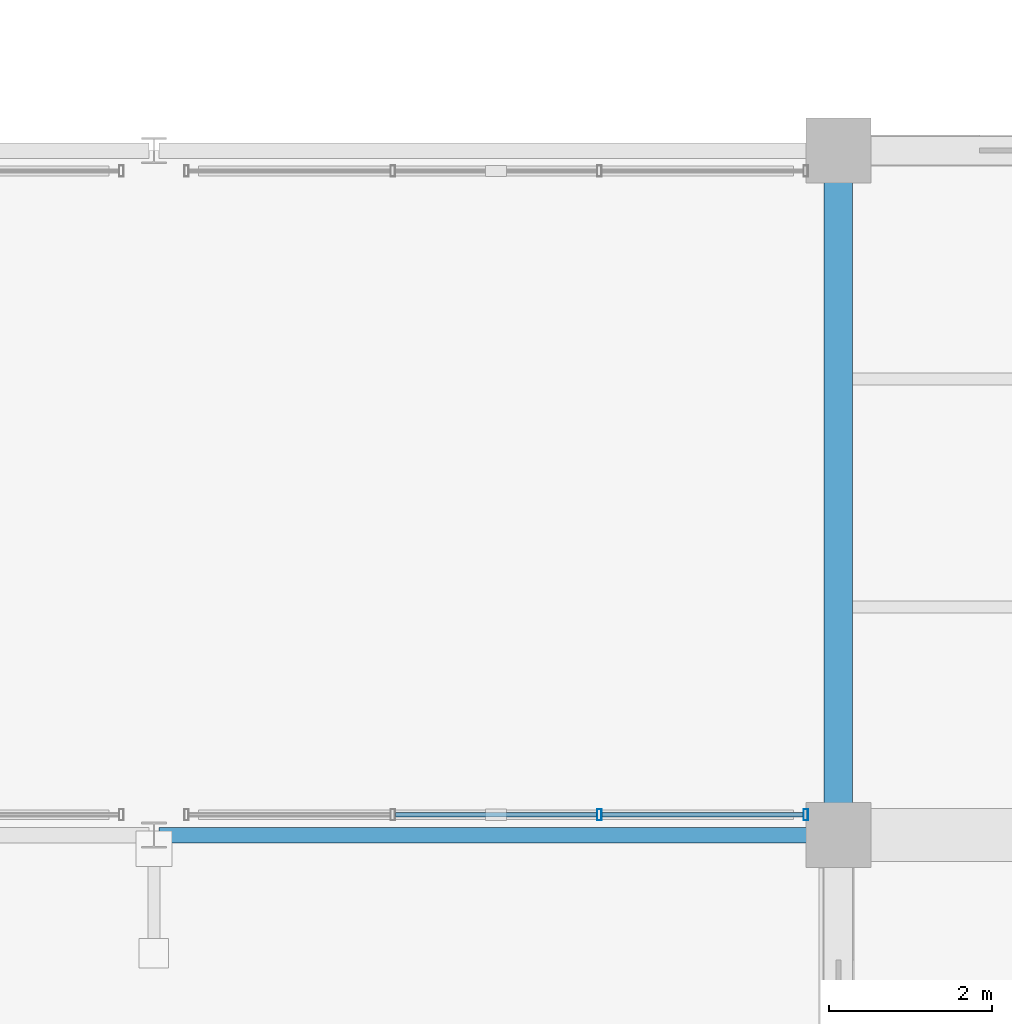
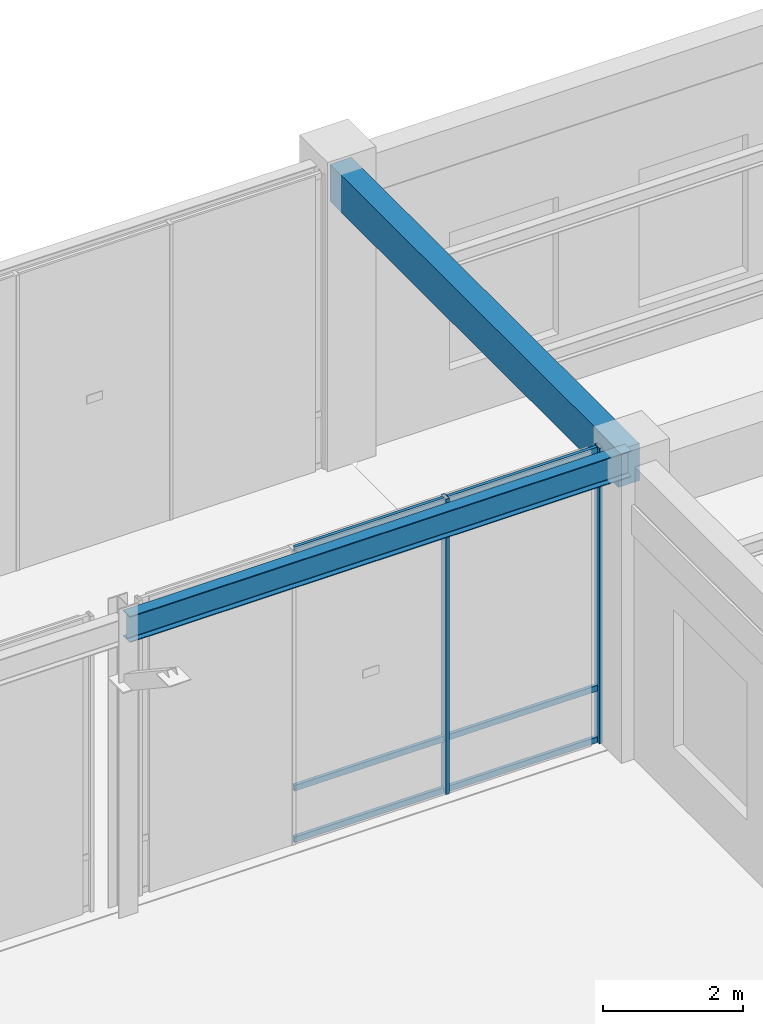
# One storey, part 39 of 157: 8 members, 2 beams, 1 element without a shape of its own.
"""IFC4 building model written with IfcOpenShell, lengths in metres."""

from ifc_helpers import new_model, si_unit, direction, frame, origin, origin_2d, place, context, subcontext, project, spatial, rectangle, hollow_rectangle, i_section, extrude, material, material_profile, profile_set, type_object, element, aggregate, save


model = new_model("IFC4")

# Units and contexts
model_context = context("Model", 3, precision=1e-05, world=origin(), true_north=direction((0.0, 1.0)))
body_context = subcontext(model_context, "Body", "Model", "MODEL_VIEW")
ifc_project = project(units=[si_unit("LENGTHUNIT", "METRE"), si_unit("AREAUNIT", "SQUARE_METRE"), si_unit("VOLUMEUNIT", "CUBIC_METRE"), si_unit("PLANEANGLEUNIT", "RADIAN"), si_unit("MASSUNIT", "GRAM", prefix="KILO"), si_unit("THERMODYNAMICTEMPERATUREUNIT", "KELVIN"), si_unit("POWERUNIT", "WATT")], contexts=[model_context])

# Site, building, storey
site_placement = place(None, origin())
site = spatial("IfcSite", under=ifc_project, at=site_placement, CompositionType="ELEMENT")
building_placement = place(site_placement, origin())
building = spatial("IfcBuilding", under=site, at=building_placement, Name="Darbajah Civic Hall", CompositionType="ELEMENT")
storey_placement = place(building_placement, origin())
storey = spatial("IfcBuildingStorey", under=building, at=storey_placement, Name="L00", CompositionType="ELEMENT", Elevation=0.0)

# Curtain wall, members
ifc_material_1 = material(Name="Anodised Bronze Aluminium and Low-E Glazing", Category="aluminium")
curtain_wall_type = type_object("IfcCurtainWallType", Name="Unitised Curtain Wall CW-101 7600x5150", PredefinedType="USERDEFINED", material=ifc_material_1)
curtain_wall_placement = place(storey_placement, origin())
curtain_wall = element("IfcCurtainWall", 1, at=curtain_wall_placement, inside=storey, type_object=curtain_wall_type, Name="L00 unitised curtain wall CW-V6-SE-S2-L00", ObjectType="UNITISED CURTAIN WALL", PredefinedType="USERDEFINED")
ifc_material_2 = material(Name="Anodised Bronze Aluminium", Category="aluminium")
ifc_material_profile_1 = material_profile(ifc_material_2, hollow_rectangle(XDim=0.054931640625, YDim=0.139892578125, WallThickness=0.003173828125, at=origin_2d()), Name="ALU MULLION 55x140")
ifc_profile_set_1 = profile_set([ifc_material_profile_1], Name="Anodised Bronze Aluminium")
member_type_1 = type_object("IfcMemberType", Name="ALU MULLION 55x140", PredefinedType="MULLION", material=ifc_profile_set_1)
member_1_placement = place(storey_placement, frame((108.066650390625, 33.85009765625, 0.0), z_axis=(0.0, 0.0, 1.0), x_axis=(1.0, 0.0, 0.0)))
member_1 = element("IfcMember", 2, at=member_1_placement, type_object=member_type_1, Name="CW-V6-SE-S2-L00 mullion 3", PredefinedType="MULLION", context=body_context, shape_type="SweptSolid", body=[
    extrude(hollow_rectangle(XDim=0.054931640625, YDim=0.139892578125, WallThickness=0.003173828125, at=origin_2d()), origin(), (0.0, 0.0, 1.0), 5.159912109375),
])
member_2_placement = place(storey_placement, frame((110.60009765625, 33.85009765625, 0.0), z_axis=(0.0, 0.0, 1.0), x_axis=(1.0, 0.0, 0.0)))
member_2 = element("IfcMember", 3, at=member_2_placement, type_object=member_type_1, Name="CW-V6-SE-S2-L00 mullion 4", PredefinedType="MULLION", context=body_context, shape_type="SweptSolid", body=[
    extrude(hollow_rectangle(XDim=0.054931640625, YDim=0.139892578125, WallThickness=0.003173828125, at=origin_2d()), origin(), (0.0, 0.0, 1.0), 5.159912109375),
])
ifc_material_profile_2 = material_profile(ifc_material_2, hollow_rectangle(XDim=0.054931640625, YDim=0.10009765625, WallThickness=0.0029296875, at=origin_2d()), Name="ALU TRANSOM 55x100")
ifc_profile_set_2 = profile_set([ifc_material_profile_2], Name="Anodised Bronze Aluminium")
member_type_2 = type_object("IfcMemberType", Name="ALU TRANSOM 55x100", PredefinedType="USERDEFINED", material=ifc_profile_set_2)
member_3_placement = place(storey_placement, frame((105.56591796875, 33.85009765625, 0.050048828125), z_axis=(1.0, 0.0, 0.0), x_axis=(0.0, 1.0, 0.0)))
member_3 = element("IfcMember", 4, at=member_3_placement, type_object=member_type_2, Name="CW-V6-SE-S2-L00 transom 2.1", ObjectType="TRANSOM", PredefinedType="USERDEFINED", context=body_context, shape_type="SweptSolid", body=[
    extrude(hollow_rectangle(XDim=0.054931640625, YDim=0.10009765625, WallThickness=0.0029296875, at=origin_2d()), origin(), (0.0, 0.0, 1.0), 2.46826171875),
])
member_4_placement = place(storey_placement, frame((105.56591796875, 33.85009765625, 0.949951171875), z_axis=(1.0, 0.0, 0.0), x_axis=(0.0, 1.0, 0.0)))
member_4 = element("IfcMember", 5, at=member_4_placement, type_object=member_type_2, Name="CW-V6-SE-S2-L00 transom 2.2", ObjectType="TRANSOM", PredefinedType="USERDEFINED", context=body_context, shape_type="SweptSolid", body=[
    extrude(hollow_rectangle(XDim=0.054931640625, YDim=0.10009765625, WallThickness=0.0029296875, at=origin_2d()), origin(), (0.0, 0.0, 1.0), 2.46826171875),
])
member_5_placement = place(storey_placement, frame((105.56591796875, 33.85009765625, 5.110107421875), z_axis=(1.0, 0.0, 0.0), x_axis=(0.0, 1.0, 0.0)))
member_5 = element("IfcMember", 6, at=member_5_placement, type_object=member_type_2, Name="CW-V6-SE-S2-L00 transom 2.3", ObjectType="TRANSOM", PredefinedType="USERDEFINED", context=body_context, shape_type="SweptSolid", body=[
    extrude(hollow_rectangle(XDim=0.054931640625, YDim=0.10009765625, WallThickness=0.0029296875, at=origin_2d()), origin(), (0.0, 0.0, 1.0), 2.46826171875),
])
member_6_placement = place(storey_placement, frame((108.09912109375, 33.85009765625, 0.050048828125), z_axis=(1.0, 0.0, 0.0), x_axis=(0.0, 1.0, 0.0)))
member_6 = element("IfcMember", 7, at=member_6_placement, type_object=member_type_2, Name="CW-V6-SE-S2-L00 transom 3.1", ObjectType="TRANSOM", PredefinedType="USERDEFINED", context=body_context, shape_type="SweptSolid", body=[
    extrude(hollow_rectangle(XDim=0.054931640625, YDim=0.10009765625, WallThickness=0.0029296875, at=origin_2d()), origin(), (0.0, 0.0, 1.0), 2.46826171875),
])
member_7_placement = place(storey_placement, frame((108.09912109375, 33.85009765625, 0.949951171875), z_axis=(1.0, 0.0, 0.0), x_axis=(0.0, 1.0, 0.0)))
member_7 = element("IfcMember", 8, at=member_7_placement, type_object=member_type_2, Name="CW-V6-SE-S2-L00 transom 3.2", ObjectType="TRANSOM", PredefinedType="USERDEFINED", context=body_context, shape_type="SweptSolid", body=[
    extrude(hollow_rectangle(XDim=0.054931640625, YDim=0.10009765625, WallThickness=0.0029296875, at=origin_2d()), origin(), (0.0, 0.0, 1.0), 2.46826171875),
])
member_8_placement = place(storey_placement, frame((108.09912109375, 33.85009765625, 5.110107421875), z_axis=(1.0, 0.0, 0.0), x_axis=(0.0, 1.0, 0.0)))
member_8 = element("IfcMember", 9, at=member_8_placement, type_object=member_type_2, Name="CW-V6-SE-S2-L00 transom 3.3", ObjectType="TRANSOM", PredefinedType="USERDEFINED", context=body_context, shape_type="SweptSolid", body=[
    extrude(hollow_rectangle(XDim=0.054931640625, YDim=0.10009765625, WallThickness=0.0029296875, at=origin_2d()), origin(), (0.0, 0.0, 1.0), 2.46826171875),
])
aggregate(curtain_wall, [member_1, member_2, member_3, member_4, member_5, member_6, member_7, member_8])

# Beams
ifc_material_3 = material(Name="Concrete C45/55", Category="concrete")
ifc_material_profile_3 = material_profile(ifc_material_3, rectangle(XDim=0.35009765625, YDim=0.64990234375, at=origin_2d()), Name="RC SPANDREL 350x650")
ifc_profile_set_3 = profile_set([ifc_material_profile_3], Name="Concrete C45/55")
beam_type_1 = type_object("IfcBeamType", Name="RC SPANDREL 350x650", PredefinedType="SPANDREL", material=ifc_profile_set_3)
beam_1_placement = place(storey_placement, frame((111.0, 33.679931640625, 4.77490234375), z_axis=(0.0, 1.0, 0.0), x_axis=(-1.0, 0.0, 0.0)))
element("IfcBeam", 10, at=beam_1_placement, inside=storey, type_object=beam_type_1, Name="L00 beam SP-3565", PredefinedType="SPANDREL", context=body_context, shape_type="SweptSolid", body=[
    extrude(rectangle(XDim=0.35009765625, YDim=0.64990234375, at=origin_2d()), origin(), (0.0, 0.0, 1.0), 8.239990234375),
])
ifc_material_4 = material(Name="Steel S355JR", Category="steel")
ifc_material_profile_4 = material_profile(ifc_material_4, i_section(OverallWidth=0.1904296875, OverallDepth=0.45703125, WebThickness=0.009033203125, FlangeThickness=0.014404296875, FilletRadius=0.01025390625, at=origin_2d()), Name="UB 457x191x74")
ifc_profile_set_4 = profile_set([ifc_material_profile_4], Name="Steel S355JR")
beam_type_2 = type_object("IfcBeamType", Name="UB 457x191x74", PredefinedType="BEAM", material=ifc_profile_set_4)
beam_2_placement = place(storey_placement, frame((102.659912109375, 33.60009765625, 4.931396484375), z_axis=(1.0, 0.0, 0.0), x_axis=(0.0, 1.0, 0.0)))
element("IfcBeam", 11, at=beam_2_placement, inside=storey, type_object=beam_type_2, Name="L00 beam SB-457", PredefinedType="BEAM", context=body_context, shape_type="SweptSolid", body=[
    extrude(i_section(OverallWidth=0.1904296875, OverallDepth=0.45703125, WebThickness=0.009033203125, FlangeThickness=0.014404296875, FilletRadius=0.01025390625, at=origin_2d()), origin(), (0.0, 0.0, 1.0), 8.280029296875),
])

save(model, "model.ifc")
